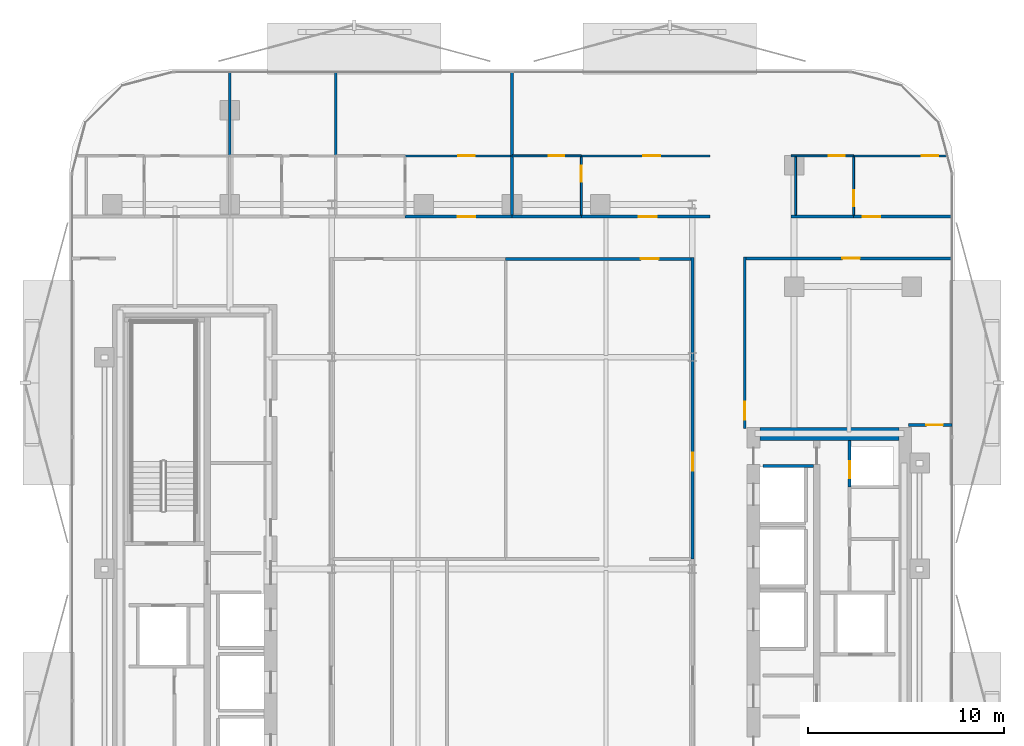
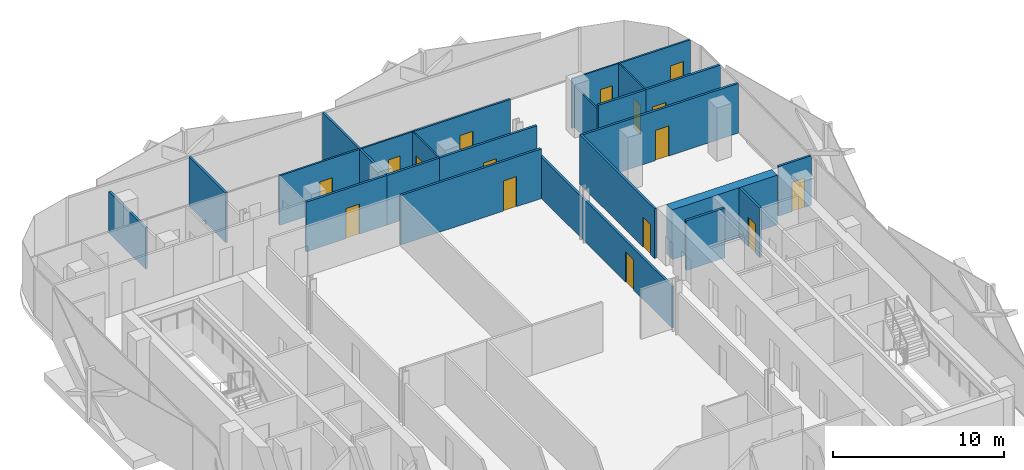
# One storey, part 7 of 17: 25 walls, 16 doors, 16 openings.
"""IFC4 building model written with IfcOpenShell, lengths in metres."""

from ifc_helpers import new_model, si_unit, direction, frame, frame_2d, origin, place, context, subcontext, project, spatial, rectangle, extrude, material, layer, layer_set, type_object, element, fill, save


model = new_model("IFC4")

# Units and contexts
model_context = context("Model", 3, precision=1e-05, world=origin(), true_north=direction((0.0, 1.0)))
body_context = subcontext(model_context, "Body", "Model", "MODEL_VIEW")
ifc_project = project(units=[si_unit("LENGTHUNIT", "METRE"), si_unit("AREAUNIT", "SQUARE_METRE"), si_unit("VOLUMEUNIT", "CUBIC_METRE"), si_unit("PLANEANGLEUNIT", "RADIAN"), si_unit("MASSUNIT", "GRAM", prefix="KILO")], contexts=[model_context])

# Site, building, storey
site_placement = place(None, origin())
site = spatial("IfcSite", under=ifc_project, at=site_placement, CompositionType="ELEMENT")
building_placement = place(site_placement, origin())
building = spatial("IfcBuilding", under=site, at=building_placement, Name="Khairoan Windgate Tower", CompositionType="ELEMENT")
storey_placement = place(building_placement, frame((0.0, 0.0, 176.39990234375)))
storey = spatial("IfcBuildingStorey", under=building, at=storey_placement, Name="L40", CompositionType="ELEMENT", Elevation=176.39990234375)

# Wall, opening, door
ifc_material_1 = material(Name="Moisture-Resistant Gypsum Partition", Category="gypsum")
ifc_layer_1 = layer(ifc_material_1, 0.10009765625, Name="Moisture-Resistant Gypsum Partition")
ifc_layer_set_1 = layer_set([ifc_layer_1], Name="Moisture-Resistant Gypsum Partition")
wall_type_1 = type_object("IfcWallType", Name="Bathroom Wet-Area Partition Wall", PredefinedType="PARTITIONING", material=ifc_layer_set_1)
wall_1_placement = place(storey_placement, frame((3.5400390625, 18.054931640625, 0.0), z_axis=(0.0, 0.0, 1.0), x_axis=(0.0, 1.0, 0.0)))
wall_1 = element("IfcWall", 1, at=wall_1_placement, inside=storey, type_object=wall_type_1, Name="L40 Interior Partition 069", PredefinedType="PARTITIONING", context=body_context, shape_type="SweptSolid", body=[
    extrude(rectangle(XDim=2.965087890625, YDim=0.10009765625, at=frame_2d((1.482421875, 0.0))), origin(), (0.0, 0.0, 1.0), 3.5400390625),
])
opening_1_placement = place(wall_1_placement, frame((1.705078125, 0.0, 0.0)))
opening_1 = element("IfcOpeningElement", 2, at=opening_1_placement, cuts=wall_1, Name="Opening ID-BTH", PredefinedType="OPENING", context=body_context, shape_type="SweptSolid", body=[
    extrude(rectangle(XDim=0.800048828125, YDim=2.10009765625, at=frame_2d((0.39990234375, 1.050048828125))), frame((0.0, 0.06005859375, 0.0), z_axis=(0.0, -1.0, 0.0), x_axis=(1.0, 0.0, 0.0)), (0.0, 0.0, 1.0), 0.1201171875),
])
ifc_material_2 = material(Name="Teak Veneer Timber Leaf", Category="wood")
door_type_1 = type_object("IfcDoorType", Name="Internal Bathroom Door ID-BTH 800x2100", OperationType="NOTDEFINED", PredefinedType="DOOR", material=ifc_material_2)
door_1_placement = place(opening_1_placement, origin())
door_1 = element("IfcDoor", 3, at=door_1_placement, inside=storey, type_object=door_type_1, Name="L40 L40-48-L40-49 Door", OperationType="SINGLE_SWING_RIGHT", OverallHeight=2.10009765625, OverallWidth=0.800048828125, PredefinedType="DOOR", context=body_context, shape_type="SweptSolid", body=[
    extrude(rectangle(XDim=0.800048828125, YDim=2.10009765625, at=frame_2d((0.39990234375, 1.050048828125))), frame((0.0, 0.02490234375, 0.0), z_axis=(0.0, -1.0, 0.0), x_axis=(1.0, 0.0, 0.0)), (0.0, 0.0, 1.0), 0.050048828125),
])
fill(opening_1, door_1)

wall_2_placement = place(storey_placement, frame((0.0, 21.070068359375, 0.0), z_axis=(0.0, 0.0, 1.0), x_axis=(1.0, 0.0, 0.0)))
wall_2 = element("IfcWall", 4, at=wall_2_placement, inside=storey, type_object=wall_type_1, Name="L40 Interior Partition 070", PredefinedType="PARTITIONING", context=body_context, shape_type="SweptSolid", body=[
    extrude(rectangle(XDim=3.5400390625, YDim=0.10009765625, at=frame_2d((1.77001953125, 0.0))), origin(), (0.0, 0.0, 1.0), 3.5400390625),
])
opening_2_placement = place(wall_2_placement, frame((1.87548828125, 0.0, 0.0)))
opening_2 = element("IfcOpeningElement", 5, at=opening_2_placement, cuts=wall_2, Name="Opening ID-BTH", PredefinedType="OPENING", context=body_context, shape_type="SweptSolid", body=[
    extrude(rectangle(XDim=0.800048828125, YDim=2.10009765625, at=frame_2d((0.39990234375, 1.050048828125))), frame((0.0, 0.06005859375, 0.0), z_axis=(0.0, -1.0, 0.0), x_axis=(1.0, 0.0, 0.0)), (0.0, 0.0, 1.0), 0.1201171875),
])
door_2_placement = place(opening_2_placement, origin())
door_2 = element("IfcDoor", 6, at=door_2_placement, inside=storey, type_object=door_type_1, Name="L40 L40-48-L40-50 Door", OperationType="SINGLE_SWING_LEFT", OverallHeight=2.10009765625, OverallWidth=0.800048828125, PredefinedType="DOOR", context=body_context, shape_type="SweptSolid", body=[
    extrude(rectangle(XDim=0.800048828125, YDim=2.10009765625, at=frame_2d((0.39990234375, 1.050048828125))), frame((0.0, 0.02490234375, 0.0), z_axis=(0.0, -1.0, 0.0), x_axis=(1.0, 0.0, 0.0)), (0.0, 0.0, 1.0), 0.050048828125),
])
fill(opening_2, door_2)

wall_3_placement = place(storey_placement, frame((17.43603515625, 18.054931640625, 0.0), z_axis=(0.0, 0.0, 1.0), x_axis=(0.0, 1.0, 0.0)))
wall_3 = element("IfcWall", 7, at=wall_3_placement, inside=storey, type_object=wall_type_1, Name="L40 Interior Partition 072", PredefinedType="PARTITIONING", context=body_context, shape_type="SweptSolid", body=[
    extrude(rectangle(XDim=2.965087890625, YDim=0.10009765625, at=frame_2d((1.482421875, 0.0))), origin(), (0.0, 0.0, 1.0), 3.5400390625),
])
opening_3_placement = place(wall_3_placement, frame((0.4599609375, 0.0, 0.0)))
opening_3 = element("IfcOpeningElement", 8, at=opening_3_placement, cuts=wall_3, Name="Opening ID-BTH", PredefinedType="OPENING", context=body_context, shape_type="SweptSolid", body=[
    extrude(rectangle(XDim=0.800048828125, YDim=2.10009765625, at=frame_2d((0.39990234375, 1.050048828125))), frame((0.0, 0.06005859375, 0.0), z_axis=(0.0, -1.0, 0.0), x_axis=(1.0, 0.0, 0.0)), (0.0, 0.0, 1.0), 0.1201171875),
])
door_3_placement = place(opening_3_placement, origin())
door_3 = element("IfcDoor", 9, at=door_3_placement, inside=storey, type_object=door_type_1, Name="L40 L40-51-L40-52 Door", OperationType="SINGLE_SWING_LEFT", OverallHeight=2.10009765625, OverallWidth=0.800048828125, PredefinedType="DOOR", context=body_context, shape_type="SweptSolid", body=[
    extrude(rectangle(XDim=0.800048828125, YDim=2.10009765625, at=frame_2d((0.39990234375, 1.050048828125))), frame((0.0, 0.02490234375, 0.0), z_axis=(0.0, -1.0, 0.0), x_axis=(1.0, 0.0, 0.0)), (0.0, 0.0, 1.0), 0.050048828125),
])
fill(opening_3, door_3)

wall_4_placement = place(storey_placement, frame((14.239990234375, 21.070068359375, 0.0), z_axis=(0.0, 0.0, 1.0), x_axis=(1.0, 0.0, 0.0)))
wall_4 = element("IfcWall", 10, at=wall_4_placement, inside=storey, type_object=wall_type_1, Name="L40 Interior Partition 073", PredefinedType="PARTITIONING", context=body_context, shape_type="SweptSolid", body=[
    extrude(rectangle(XDim=3.196044921875, YDim=0.10009765625, at=frame_2d((1.59814453125, 0.0))), origin(), (0.0, 0.0, 1.0), 3.5400390625),
])
opening_4_placement = place(wall_4_placement, frame((1.93603515625, 0.0, 0.0)))
opening_4 = element("IfcOpeningElement", 11, at=opening_4_placement, cuts=wall_4, Name="Opening ID-BTH", PredefinedType="OPENING", context=body_context, shape_type="SweptSolid", body=[
    extrude(rectangle(XDim=0.800048828125, YDim=2.10009765625, at=frame_2d((0.39990234375, 1.050048828125))), frame((0.0, 0.06005859375, 0.0), z_axis=(0.0, -1.0, 0.0), x_axis=(1.0, 0.0, 0.0)), (0.0, 0.0, 1.0), 0.1201171875),
])
door_4_placement = place(opening_4_placement, origin())
door_4 = element("IfcDoor", 12, at=door_4_placement, inside=storey, type_object=door_type_1, Name="L40 L40-51-L40-53 Door", OperationType="SINGLE_SWING_RIGHT", OverallHeight=2.10009765625, OverallWidth=0.800048828125, PredefinedType="DOOR", context=body_context, shape_type="SweptSolid", body=[
    extrude(rectangle(XDim=0.800048828125, YDim=2.10009765625, at=frame_2d((0.39990234375, 1.050048828125))), frame((0.0, 0.02490234375, 0.0), z_axis=(0.0, -1.0, 0.0), x_axis=(1.0, 0.0, 0.0)), (0.0, 0.0, 1.0), 0.050048828125),
])
fill(opening_4, door_4)

# Walls
wall_5_placement = place(storey_placement, frame((14.47998046875, 18.054931640625, 0.0), z_axis=(0.0, 0.0, 1.0), x_axis=(0.0, 1.0, 0.0)))
element("IfcWall", 13, at=wall_5_placement, inside=storey, type_object=wall_type_1, Name="L40 Wet Room Side Wall 097", PredefinedType="PARTITIONING", context=body_context, shape_type="SweptSolid", body=[
    extrude(rectangle(XDim=2.965087890625, YDim=0.10009765625, at=frame_2d((1.482421875, 0.0))), origin(), (0.0, 0.0, 1.0), 2.9521484375),
])
ifc_material_3 = material(Name="Concrete C40/50", Category="concrete")
ifc_layer_2 = layer(ifc_material_3, 0.159912109375, Name="Concrete C40/50")
ifc_layer_set_2 = layer_set([ifc_layer_2], Name="Concrete C40/50")
wall_type_2 = type_object("IfcWallType", Name="Core and Hoistway Enclosure Wall", PredefinedType="STANDARD", material=ifc_layer_set_2)
wall_6_placement = place(storey_placement, frame((12.800048828125, 5.25, 0.0), z_axis=(0.0, 0.0, 1.0), x_axis=(1.0, 0.0, 0.0)))
element("IfcWall", 14, at=wall_6_placement, inside=storey, type_object=wall_type_2, Name="L40 Core Shaft Wall SW-ESV-L40", PredefinedType="STANDARD", context=body_context, shape_type="SweptSolid", body=[
    extrude(rectangle(XDim=2.599853515625, YDim=0.159912109375, at=frame_2d((1.2998046875, 0.0))), origin(), (0.0, 0.0, 1.0), 3.5400390625),
])
ifc_material_4 = material(Name="Acoustic Fire-Rated Gypsum Partition", Category="gypsum")
ifc_layer_3 = layer(ifc_material_4, 0.139892578125, Name="Acoustic Fire-Rated Gypsum Partition")
ifc_layer_set_3 = layer_set([ifc_layer_3], Name="Acoustic Fire-Rated Gypsum Partition")
wall_type_3 = type_object("IfcWallType", Name="Inter-Tenancy Compartment Wall", PredefinedType="PARTITIONING", material=ifc_layer_set_3)
wall_7_placement = place(storey_placement, frame((-14.39990234375, 21.070068359375, 0.0), z_axis=(0.0, 0.0, 1.0), x_axis=(0.0, 1.0, 0.0)))
element("IfcWall", 15, at=wall_7_placement, inside=storey, type_object=wall_type_3, Name="L40 Interior Partition 058", PredefinedType="PARTITIONING", context=body_context, shape_type="SweptSolid", body=[
    extrude(rectangle(XDim=4.284912109375, YDim=0.139892578125, at=frame_2d((2.142578125, 0.0))), origin(), (0.0, 0.0, 1.0), 2.9521484375),
])
wall_8_placement = place(storey_placement, frame((-9.0, 21.070068359375, 0.0), z_axis=(0.0, 0.0, 1.0), x_axis=(0.0, 1.0, 0.0)))
element("IfcWall", 16, at=wall_8_placement, inside=storey, type_object=wall_type_3, Name="L40 Interior Partition 063", PredefinedType="PARTITIONING", context=body_context, shape_type="SweptSolid", body=[
    extrude(rectangle(XDim=4.284912109375, YDim=0.139892578125, at=frame_2d((2.142578125, 0.0))), origin(), (0.0, 0.0, 1.0), 3.5400390625),
])
wall_9_placement = place(storey_placement, frame((0.0, 18.054931640625, 0.0), z_axis=(0.0, 0.0, 1.0), x_axis=(0.0, 1.0, 0.0)))
element("IfcWall", 17, at=wall_9_placement, inside=storey, type_object=wall_type_3, Name="L40 Interior Partition 067", PredefinedType="PARTITIONING", context=body_context, shape_type="SweptSolid", body=[
    extrude(rectangle(XDim=3.01513671875, YDim=0.139892578125, at=frame_2d((1.507568359375, 0.0))), origin(), (0.0, 0.0, 1.0), 3.5400390625),
])
wall_10_placement = place(storey_placement, frame((0.0, 21.070068359375, 0.0), z_axis=(0.0, 0.0, 1.0), x_axis=(0.0, 1.0, 0.0)))
element("IfcWall", 18, at=wall_10_placement, inside=storey, type_object=wall_type_3, Name="L40 Interior Partition 068", PredefinedType="PARTITIONING", context=body_context, shape_type="SweptSolid", body=[
    extrude(rectangle(XDim=4.284912109375, YDim=0.139892578125, at=frame_2d((2.142578125, 0.0))), origin(), (0.0, 0.0, 1.0), 3.5400390625),
])

# Wall, opening, door
wall_11_placement = place(storey_placement, frame((20.239990234375, 7.340087890625, 0.0), z_axis=(0.0, 0.0, 1.0), x_axis=(1.0, 0.0, 0.0)))
wall_11 = element("IfcWall", 19, at=wall_11_placement, inside=storey, type_object=wall_type_3, Name="L40 Interior Partition 093", PredefinedType="PARTITIONING", context=body_context, shape_type="SweptSolid", body=[
    extrude(rectangle(XDim=2.215087890625, YDim=0.139892578125, at=frame_2d((1.107421875, 0.0))), origin(), (0.0, 0.0, 1.0), 3.5400390625),
])
opening_5_placement = place(wall_11_placement, frame((0.905029296875, 0.0, 0.0)))
opening_5 = element("IfcOpeningElement", 20, at=opening_5_placement, cuts=wall_11, Name="Opening FD-SRV", PredefinedType="OPENING", context=body_context, shape_type="SweptSolid", body=[
    extrude(rectangle(XDim=0.85009765625, YDim=2.10009765625, at=frame_2d((0.425048828125, 1.050048828125))), frame((0.0, 0.079833984375, 0.0), z_axis=(0.0, -1.0, 0.0), x_axis=(1.0, 0.0, 0.0)), (0.0, 0.0, 1.0), 0.159912109375),
])
ifc_material_5 = material(Name="Steel S355", Category="steel")
door_type_2 = type_object("IfcDoorType", Name="Core Service and Riser Fire Door FD-SRV 850x2100", OperationType="NOTDEFINED", PredefinedType="DOOR", material=ifc_material_5)
door_5_placement = place(opening_5_placement, origin())
door_5 = element("IfcDoor", 21, at=door_5_placement, inside=storey, type_object=door_type_2, Name="L40 L40-66-L40-68 Door", OperationType="SINGLE_SWING_RIGHT", OverallHeight=2.10009765625, OverallWidth=0.85009765625, PredefinedType="DOOR", context=body_context, shape_type="SweptSolid", body=[
    extrude(rectangle(XDim=0.85009765625, YDim=2.10009765625, at=frame_2d((0.425048828125, 1.050048828125))), frame((0.0, 0.02490234375, 0.0), z_axis=(0.0, -1.0, 0.0), x_axis=(1.0, 0.0, 0.0)), (0.0, 0.0, 1.0), 0.050048828125),
])
fill(opening_5, door_5)

ifc_material_6 = material(Name="Gypsum Stud Partition", Category="gypsum")
ifc_layer_4 = layer(ifc_material_6, 0.1201171875, Name="Gypsum Stud Partition")
ifc_layer_set_4 = layer_set([ifc_layer_4], Name="Gypsum Stud Partition")
wall_type_4 = type_object("IfcWallType", Name="Internal Room Partition Wall", PredefinedType="PARTITIONING", material=ifc_layer_set_4)
wall_12_placement = place(storey_placement, frame((-5.4599609375, 21.070068359375, 0.0), z_axis=(0.0, 0.0, 1.0), x_axis=(1.0, 0.0, 0.0)))
wall_12 = element("IfcWall", 22, at=wall_12_placement, inside=storey, type_object=wall_type_4, Name="L40 Interior Partition 066", PredefinedType="PARTITIONING", context=body_context, shape_type="SweptSolid", body=[
    extrude(rectangle(XDim=5.4599609375, YDim=0.1201171875, at=frame_2d((2.72998046875, 0.0))), origin(), (0.0, 0.0, 1.0), 3.5400390625),
])
opening_6_placement = place(wall_12_placement, frame((2.708984375, 0.0, 0.0)))
opening_6 = element("IfcOpeningElement", 23, at=opening_6_placement, cuts=wall_12, Name="Opening ID-RM", PredefinedType="OPENING", context=body_context, shape_type="SweptSolid", body=[
    extrude(rectangle(XDim=0.860107421875, YDim=2.14990234375, at=frame_2d((0.43017578125, 1.074951171875))), frame((0.0, 0.070068359375, 0.0), z_axis=(0.0, -1.0, 0.0), x_axis=(1.0, 0.0, 0.0)), (0.0, 0.0, 1.0), 0.14013671875),
])
ifc_material_7 = material(Name="Teak Veneer Timber Leaf", Category="wood")
door_type_3 = type_object("IfcDoorType", Name="Internal Bedroom and Office Door ID-RM 860x2150", OperationType="NOTDEFINED", PredefinedType="DOOR", material=ifc_material_7)
door_6_placement = place(opening_6_placement, origin())
door_6 = element("IfcDoor", 24, at=door_6_placement, inside=storey, type_object=door_type_3, Name="L40 L40-46-L40-47 Door", OperationType="SINGLE_SWING_LEFT", OverallHeight=2.14990234375, OverallWidth=0.860107421875, PredefinedType="DOOR", context=body_context, shape_type="SweptSolid", body=[
    extrude(rectangle(XDim=0.860107421875, YDim=2.14990234375, at=frame_2d((0.43017578125, 1.074951171875))), frame((0.0, 0.02490234375, 0.0), z_axis=(0.0, -1.0, 0.0), x_axis=(1.0, 0.0, 0.0)), (0.0, 0.0, 1.0), 0.050048828125),
])
fill(opening_6, door_6)

wall_13_placement = place(storey_placement, frame((3.5400390625, 21.070068359375, 0.0), z_axis=(0.0, 0.0, 1.0), x_axis=(1.0, 0.0, 0.0)))
wall_13 = element("IfcWall", 25, at=wall_13_placement, inside=storey, type_object=wall_type_4, Name="L40 Interior Partition 071", PredefinedType="PARTITIONING", context=body_context, shape_type="SweptSolid", body=[
    extrude(rectangle(XDim=6.570068359375, YDim=0.1201171875, at=frame_2d((3.28515625, 0.0))), origin(), (0.0, 0.0, 1.0), 3.5400390625),
])
opening_7_placement = place(wall_13_placement, frame((3.16748046875, 0.0, 0.0)))
opening_7 = element("IfcOpeningElement", 26, at=opening_7_placement, cuts=wall_13, Name="Opening ID-RM", PredefinedType="OPENING", context=body_context, shape_type="SweptSolid", body=[
    extrude(rectangle(XDim=0.860107421875, YDim=2.14990234375, at=frame_2d((0.43017578125, 1.074951171875))), frame((0.0, 0.070068359375, 0.0), z_axis=(0.0, -1.0, 0.0), x_axis=(1.0, 0.0, 0.0)), (0.0, 0.0, 1.0), 0.14013671875),
])
door_7_placement = place(opening_7_placement, origin())
door_7 = element("IfcDoor", 27, at=door_7_placement, inside=storey, type_object=door_type_3, Name="L40 L40-49-L40-50 Door", OperationType="SINGLE_SWING_RIGHT", OverallHeight=2.14990234375, OverallWidth=0.860107421875, PredefinedType="DOOR", context=body_context, shape_type="SweptSolid", body=[
    extrude(rectangle(XDim=0.860107421875, YDim=2.14990234375, at=frame_2d((0.43017578125, 1.074951171875))), frame((0.0, 0.02490234375, 0.0), z_axis=(0.0, -1.0, 0.0), x_axis=(1.0, 0.0, 0.0)), (0.0, 0.0, 1.0), 0.050048828125),
])
fill(opening_7, door_7)

wall_14_placement = place(storey_placement, frame((17.43603515625, 21.070068359375, 0.0), z_axis=(0.0, 0.0, 1.0), x_axis=(1.0, 0.0, 0.0)))
wall_14 = element("IfcWall", 28, at=wall_14_placement, inside=storey, type_object=wall_type_4, Name="L40 Interior Partition 074", PredefinedType="PARTITIONING", context=body_context, shape_type="SweptSolid", body=[
    extrude(rectangle(XDim=4.78369140625, YDim=0.1201171875, at=frame_2d((2.391845703125, 0.0))), origin(), (0.0, 0.0, 1.0), 3.5400390625),
])
opening_8_placement = place(wall_14_placement, frame((3.4638671875, 0.0, 0.0)))
opening_8 = element("IfcOpeningElement", 29, at=opening_8_placement, cuts=wall_14, Name="Opening ID-RM", PredefinedType="OPENING", context=body_context, shape_type="SweptSolid", body=[
    extrude(rectangle(XDim=0.860107421875, YDim=2.14990234375, at=frame_2d((0.43017578125, 1.074951171875))), frame((0.0, 0.070068359375, 0.0), z_axis=(0.0, -1.0, 0.0), x_axis=(1.0, 0.0, 0.0)), (0.0, 0.0, 1.0), 0.14013671875),
])
door_8_placement = place(opening_8_placement, origin())
door_8 = element("IfcDoor", 30, at=door_8_placement, inside=storey, type_object=door_type_3, Name="L40 L40-52-L40-53 Door", OperationType="SINGLE_SWING_LEFT", OverallHeight=2.14990234375, OverallWidth=0.860107421875, PredefinedType="DOOR", context=body_context, shape_type="SweptSolid", body=[
    extrude(rectangle(XDim=0.860107421875, YDim=2.14990234375, at=frame_2d((0.43017578125, 1.074951171875))), frame((0.0, 0.02490234375, 0.0), z_axis=(0.0, -1.0, 0.0), x_axis=(1.0, 0.0, 0.0)), (0.0, 0.0, 1.0), 0.050048828125),
])
fill(opening_8, door_8)

ifc_material_8 = material(Name="Concrete C40/50", Category="concrete")
ifc_layer_5 = layer(ifc_material_8, 0.159912109375, Name="Concrete C40/50")
ifc_layer_set_5 = layer_set([ifc_layer_5], Name="Concrete C40/50")
wall_type_5 = type_object("IfcWallType", Name="Plant and Refuge Compartment Wall", PredefinedType="PARTITIONING", material=ifc_layer_set_5)
wall_15_placement = place(storey_placement, frame((17.22998046875, 4.169921875, 0.0), z_axis=(0.0, 0.0, 1.0), x_axis=(0.0, 1.0, 0.0)))
wall_15 = element("IfcWall", 31, at=wall_15_placement, inside=storey, type_object=wall_type_5, Name="L40 Interior Partition 005", PredefinedType="PARTITIONING", context=body_context, shape_type="SweptSolid", body=[
    extrude(rectangle(XDim=2.380126953125, YDim=0.159912109375, at=frame_2d((1.18994140625, 0.0))), origin(), (0.0, 0.0, 1.0), 3.5400390625),
])
opening_9_placement = place(wall_15_placement, frame((0.4599609375, 0.0, 0.0)))
opening_9 = element("IfcOpeningElement", 32, at=opening_9_placement, cuts=wall_15, Name="Opening FD-SRV", PredefinedType="OPENING", context=body_context, shape_type="SweptSolid", body=[
    extrude(rectangle(XDim=0.85009765625, YDim=2.10009765625, at=frame_2d((0.425048828125, 1.050048828125))), frame((0.0, 0.08984375, 0.0), z_axis=(0.0, -1.0, 0.0), x_axis=(1.0, 0.0, 0.0)), (0.0, 0.0, 1.0), 0.179931640625),
])
door_9_placement = place(opening_9_placement, origin())
door_9 = element("IfcDoor", 33, at=door_9_placement, inside=storey, type_object=door_type_2, Name="L40 L40-17-L40-18 Door", OperationType="SINGLE_SWING_RIGHT", OverallHeight=2.10009765625, OverallWidth=0.85009765625, PredefinedType="DOOR", context=body_context, shape_type="SweptSolid", body=[
    extrude(rectangle(XDim=0.85009765625, YDim=2.10009765625, at=frame_2d((0.425048828125, 1.050048828125))), frame((0.0, 0.02490234375, 0.0), z_axis=(0.0, -1.0, 0.0), x_axis=(1.0, 0.0, 0.0)), (0.0, 0.0, 1.0), 0.050048828125),
])
fill(opening_9, door_9)

ifc_material_9 = material(Name="Acoustic Fire-Rated Gypsum Partition", Category="gypsum")
ifc_layer_6 = layer(ifc_material_9, 0.14990234375, Name="Acoustic Fire-Rated Gypsum Partition")
ifc_layer_set_6 = layer_set([ifc_layer_6], Name="Acoustic Fire-Rated Gypsum Partition")
wall_type_6 = type_object("IfcWallType", Name="Rated Corridor Partition Wall", PredefinedType="PARTITIONING", material=ifc_layer_set_6)
wall_16_placement = place(storey_placement, frame((9.219970703125, 0.5, 0.0), z_axis=(0.0, 0.0, 1.0), x_axis=(0.0, 1.0, 0.0)))
wall_16 = element("IfcWall", 34, at=wall_16_placement, inside=storey, type_object=wall_type_6, Name="L40 Interior Partition 014", PredefinedType="PARTITIONING", context=body_context, shape_type="SweptSolid", body=[
    extrude(rectangle(XDim=15.39501953125, YDim=0.14990234375, at=frame_2d((7.697509765625, 0.0))), origin(), (0.0, 0.0, 1.0), 2.9521484375),
])
opening_10_placement = place(wall_16_placement, frame((4.51220703125, 0.0, 0.0)))
opening_10 = element("IfcOpeningElement", 35, at=opening_10_placement, cuts=wall_16, Name="Opening FD-ENT", PredefinedType="OPENING", context=body_context, shape_type="SweptSolid", body=[
    extrude(rectangle(XDim=0.89990234375, YDim=2.14990234375, at=frame_2d((0.449951171875, 1.074951171875))), frame((0.0, 0.0849609375, 0.0), z_axis=(0.0, -1.0, 0.0), x_axis=(1.0, 0.0, 0.0)), (0.0, 0.0, 1.0), 0.169921875),
])
ifc_material_10 = material(Name="Timber Fire-Rated Core", Category="wood")
door_type_4 = type_object("IfcDoorType", Name="Unit and Office Fire Entrance Door FD-ENT 900x2150", OperationType="NOTDEFINED", PredefinedType="DOOR", material=ifc_material_10)
door_10_placement = place(opening_10_placement, origin())
door_10 = element("IfcDoor", 36, at=door_10_placement, inside=storey, type_object=door_type_4, Name="L40 L40-29-L40-38 Door", OperationType="SINGLE_SWING_RIGHT", OverallHeight=2.14990234375, OverallWidth=0.89990234375, PredefinedType="DOOR", context=body_context, shape_type="SweptSolid", body=[
    extrude(rectangle(XDim=0.89990234375, YDim=2.14990234375, at=frame_2d((0.449951171875, 1.074951171875))), frame((0.0, 0.02490234375, 0.0), z_axis=(0.0, -1.0, 0.0), x_axis=(1.0, 0.0, 0.0)), (0.0, 0.0, 1.0), 0.050048828125),
])
fill(opening_10, door_10)

wall_17_placement = place(storey_placement, frame((11.8798828125, 7.159912109375, 0.0), z_axis=(0.0, 0.0, 1.0), x_axis=(0.0, 1.0, 0.0)))
wall_17 = element("IfcWall", 37, at=wall_17_placement, inside=storey, type_object=wall_type_6, Name="L40 Interior Partition 015", PredefinedType="PARTITIONING", context=body_context, shape_type="SweptSolid", body=[
    extrude(rectangle(XDim=8.755126953125, YDim=0.14990234375, at=frame_2d((4.37744140625, 0.0))), origin(), (0.0, 0.0, 1.0), 3.5400390625),
])
opening_11_placement = place(wall_17_placement, frame((0.4599609375, 0.0, 0.0)))
opening_11 = element("IfcOpeningElement", 38, at=opening_11_placement, cuts=wall_17, Name="Opening FD-ENT", PredefinedType="OPENING", context=body_context, shape_type="SweptSolid", body=[
    extrude(rectangle(XDim=0.89990234375, YDim=2.14990234375, at=frame_2d((0.449951171875, 1.074951171875))), frame((0.0, 0.0849609375, 0.0), z_axis=(0.0, -1.0, 0.0), x_axis=(1.0, 0.0, 0.0)), (0.0, 0.0, 1.0), 0.169921875),
])
door_11_placement = place(opening_11_placement, origin())
door_11 = element("IfcDoor", 39, at=door_11_placement, inside=storey, type_object=door_type_4, Name="L40 L40-29-L40-66 Door", OperationType="SINGLE_SWING_LEFT", OverallHeight=2.14990234375, OverallWidth=0.89990234375, PredefinedType="DOOR", context=body_context, shape_type="SweptSolid", body=[
    extrude(rectangle(XDim=0.89990234375, YDim=2.14990234375, at=frame_2d((0.449951171875, 1.074951171875))), frame((0.0, 0.02490234375, 0.0), z_axis=(0.0, -1.0, 0.0), x_axis=(1.0, 0.0, 0.0)), (0.0, 0.0, 1.0), 0.050048828125),
])
fill(opening_11, door_11)

wall_18_placement = place(storey_placement, frame((-0.320068359375, 15.820068359375, 0.0), z_axis=(0.0, 0.0, 1.0), x_axis=(1.0, 0.0, 0.0)))
wall_18 = element("IfcWall", 40, at=wall_18_placement, inside=storey, type_object=wall_type_6, Name="L40 Interior Partition 017", PredefinedType="PARTITIONING", context=body_context, shape_type="SweptSolid", body=[
    extrude(rectangle(XDim=9.465087890625, YDim=0.14990234375, at=frame_2d((4.732421875, 0.0))), origin(), (0.0, 0.0, 1.0), 3.5400390625),
])
opening_12_placement = place(wall_18_placement, frame((6.89794921875, 0.0, 0.0)))
opening_12 = element("IfcOpeningElement", 41, at=opening_12_placement, cuts=wall_18, Name="Opening FD-ENT", PredefinedType="OPENING", context=body_context, shape_type="SweptSolid", body=[
    extrude(rectangle(XDim=0.89990234375, YDim=2.14990234375, at=frame_2d((0.449951171875, 1.074951171875))), frame((0.0, 0.0849609375, 0.0), z_axis=(0.0, -1.0, 0.0), x_axis=(1.0, 0.0, 0.0)), (0.0, 0.0, 1.0), 0.169921875),
])
door_12_placement = place(opening_12_placement, origin())
door_12 = element("IfcDoor", 42, at=door_12_placement, inside=storey, type_object=door_type_4, Name="L40 L40-30-L40-38 Door", OperationType="SINGLE_SWING_LEFT", OverallHeight=2.14990234375, OverallWidth=0.89990234375, PredefinedType="DOOR", context=body_context, shape_type="SweptSolid", body=[
    extrude(rectangle(XDim=0.89990234375, YDim=2.14990234375, at=frame_2d((0.449951171875, 1.074951171875))), frame((0.0, 0.02490234375, 0.0), z_axis=(0.0, -1.0, 0.0), x_axis=(1.0, 0.0, 0.0)), (0.0, 0.0, 1.0), 0.050048828125),
])
fill(opening_12, door_12)

wall_19_placement = place(storey_placement, frame((-5.4599609375, 17.97998046875, 0.0), z_axis=(0.0, 0.0, 1.0), x_axis=(1.0, 0.0, 0.0)))
wall_19 = element("IfcWall", 43, at=wall_19_placement, inside=storey, type_object=wall_type_6, Name="L40 Interior Partition 023", PredefinedType="PARTITIONING", context=body_context, shape_type="SweptSolid", body=[
    extrude(rectangle(XDim=5.4599609375, YDim=0.14990234375, at=frame_2d((2.72998046875, 0.0))), origin(), (0.0, 0.0, 1.0), 3.5400390625),
])
opening_13_placement = place(wall_19_placement, frame((2.684326171875, 0.0, 0.0)))
opening_13 = element("IfcOpeningElement", 44, at=opening_13_placement, cuts=wall_19, Name="Opening FD-ENT", PredefinedType="OPENING", context=body_context, shape_type="SweptSolid", body=[
    extrude(rectangle(XDim=0.89990234375, YDim=2.14990234375, at=frame_2d((0.449951171875, 1.074951171875))), frame((0.0, 0.0849609375, 0.0), z_axis=(0.0, -1.0, 0.0), x_axis=(1.0, 0.0, 0.0)), (0.0, 0.0, 1.0), 0.169921875),
])
door_13_placement = place(opening_13_placement, origin())
door_13 = element("IfcDoor", 45, at=door_13_placement, inside=storey, type_object=door_type_4, Name="L40 L40-30-L40-46 Door", OperationType="SINGLE_SWING_RIGHT", OverallHeight=2.14990234375, OverallWidth=0.89990234375, PredefinedType="DOOR", context=body_context, shape_type="SweptSolid", body=[
    extrude(rectangle(XDim=0.89990234375, YDim=2.14990234375, at=frame_2d((0.449951171875, 1.074951171875))), frame((0.0, 0.02490234375, 0.0), z_axis=(0.0, -1.0, 0.0), x_axis=(1.0, 0.0, 0.0)), (0.0, 0.0, 1.0), 0.050048828125),
])
fill(opening_13, door_13)

# Wall
wall_20_placement = place(storey_placement, frame((0.0, 17.97998046875, 0.0), z_axis=(0.0, 0.0, 1.0), x_axis=(1.0, 0.0, 0.0)))
element("IfcWall", 46, at=wall_20_placement, inside=storey, type_object=wall_type_6, Name="L40 Interior Partition 024", PredefinedType="PARTITIONING", context=body_context, shape_type="SweptSolid", body=[
    extrude(rectangle(XDim=3.5400390625, YDim=0.14990234375, at=frame_2d((1.77001953125, 0.0))), origin(), (0.0, 0.0, 1.0), 3.5400390625),
])

# Wall, opening, door
wall_21_placement = place(storey_placement, frame((3.5400390625, 17.97998046875, 0.0), z_axis=(0.0, 0.0, 1.0), x_axis=(1.0, 0.0, 0.0)))
wall_21 = element("IfcWall", 47, at=wall_21_placement, inside=storey, type_object=wall_type_6, Name="L40 Interior Partition 025", PredefinedType="PARTITIONING", context=body_context, shape_type="SweptSolid", body=[
    extrude(rectangle(XDim=6.570068359375, YDim=0.14990234375, at=frame_2d((3.28515625, 0.0))), origin(), (0.0, 0.0, 1.0), 3.5400390625),
])
opening_14_placement = place(wall_21_placement, frame((2.938232421875, 0.0, 0.0)))
opening_14 = element("IfcOpeningElement", 48, at=opening_14_placement, cuts=wall_21, Name="Opening FD-ENT", PredefinedType="OPENING", context=body_context, shape_type="SweptSolid", body=[
    extrude(rectangle(XDim=0.89990234375, YDim=2.14990234375, at=frame_2d((0.449951171875, 1.074951171875))), frame((0.0, 0.0849609375, 0.0), z_axis=(0.0, -1.0, 0.0), x_axis=(1.0, 0.0, 0.0)), (0.0, 0.0, 1.0), 0.169921875),
])
door_14_placement = place(opening_14_placement, origin())
door_14 = element("IfcDoor", 49, at=door_14_placement, inside=storey, type_object=door_type_4, Name="L40 L40-30-L40-49 Door", OperationType="SINGLE_SWING_LEFT", OverallHeight=2.14990234375, OverallWidth=0.89990234375, PredefinedType="DOOR", context=body_context, shape_type="SweptSolid", body=[
    extrude(rectangle(XDim=0.89990234375, YDim=2.14990234375, at=frame_2d((0.449951171875, 1.074951171875))), frame((0.0, 0.02490234375, 0.0), z_axis=(0.0, -1.0, 0.0), x_axis=(1.0, 0.0, 0.0)), (0.0, 0.0, 1.0), 0.050048828125),
])
fill(opening_14, door_14)

# Wall
wall_22_placement = place(storey_placement, frame((14.239990234375, 17.97998046875, 0.0), z_axis=(0.0, 0.0, 1.0), x_axis=(1.0, 0.0, 0.0)))
element("IfcWall", 50, at=wall_22_placement, inside=storey, type_object=wall_type_6, Name="L40 Interior Partition 026", PredefinedType="PARTITIONING", context=body_context, shape_type="SweptSolid", body=[
    extrude(rectangle(XDim=3.196044921875, YDim=0.14990234375, at=frame_2d((1.59814453125, 0.0))), origin(), (0.0, 0.0, 1.0), 3.5400390625),
])

# Wall, opening, door
wall_23_placement = place(storey_placement, frame((17.43603515625, 17.97998046875, 0.0), z_axis=(0.0, 0.0, 1.0), x_axis=(1.0, 0.0, 0.0)))
wall_23 = element("IfcWall", 51, at=wall_23_placement, inside=storey, type_object=wall_type_6, Name="L40 Interior Partition 027", PredefinedType="PARTITIONING", context=body_context, shape_type="SweptSolid", body=[
    extrude(rectangle(XDim=5.01904296875, YDim=0.14990234375, at=frame_2d((2.509521484375, 0.0))), origin(), (0.0, 0.0, 1.0), 3.5400390625),
])
opening_15_placement = place(wall_23_placement, frame((0.4599609375, 0.0, 0.0)))
opening_15 = element("IfcOpeningElement", 52, at=opening_15_placement, cuts=wall_23, Name="Opening FD-ENT", PredefinedType="OPENING", context=body_context, shape_type="SweptSolid", body=[
    extrude(rectangle(XDim=0.89990234375, YDim=2.14990234375, at=frame_2d((0.449951171875, 1.074951171875))), frame((0.0, 0.0849609375, 0.0), z_axis=(0.0, -1.0, 0.0), x_axis=(1.0, 0.0, 0.0)), (0.0, 0.0, 1.0), 0.169921875),
])
door_15_placement = place(opening_15_placement, origin())
door_15 = element("IfcDoor", 53, at=door_15_placement, inside=storey, type_object=door_type_4, Name="L40 L40-30-L40-52 Door", OperationType="SINGLE_SWING_RIGHT", OverallHeight=2.14990234375, OverallWidth=0.89990234375, PredefinedType="DOOR", context=body_context, shape_type="SweptSolid", body=[
    extrude(rectangle(XDim=0.89990234375, YDim=2.14990234375, at=frame_2d((0.449951171875, 1.074951171875))), frame((0.0, 0.02490234375, 0.0), z_axis=(0.0, -1.0, 0.0), x_axis=(1.0, 0.0, 0.0)), (0.0, 0.0, 1.0), 0.050048828125),
])
fill(opening_15, door_15)

wall_24_placement = place(storey_placement, frame((11.955078125, 15.840087890625, 0.0), z_axis=(0.0, 0.0, 1.0), x_axis=(1.0, 0.0, 0.0)))
wall_24 = element("IfcWall", 54, at=wall_24_placement, inside=storey, type_object=wall_type_6, Name="L40 Interior Partition 028", PredefinedType="PARTITIONING", context=body_context, shape_type="SweptSolid", body=[
    extrude(rectangle(XDim=10.5, YDim=0.14990234375, at=frame_2d((5.25, 0.0))), origin(), (0.0, 0.0, 1.0), 3.5400390625),
])
opening_16_placement = place(wall_24_placement, frame((4.90087890625, 0.0, 0.0)))
opening_16 = element("IfcOpeningElement", 55, at=opening_16_placement, cuts=wall_24, Name="Opening FD-ENT", PredefinedType="OPENING", context=body_context, shape_type="SweptSolid", body=[
    extrude(rectangle(XDim=0.89990234375, YDim=2.14990234375, at=frame_2d((0.449951171875, 1.074951171875))), frame((0.0, 0.0849609375, 0.0), z_axis=(0.0, -1.0, 0.0), x_axis=(1.0, 0.0, 0.0)), (0.0, 0.0, 1.0), 0.169921875),
])
door_16_placement = place(opening_16_placement, origin())
door_16 = element("IfcDoor", 56, at=door_16_placement, inside=storey, type_object=door_type_4, Name="L40 L40-30-L40-66 Door", OperationType="SINGLE_SWING_LEFT", OverallHeight=2.14990234375, OverallWidth=0.89990234375, PredefinedType="DOOR", context=body_context, shape_type="SweptSolid", body=[
    extrude(rectangle(XDim=0.89990234375, YDim=2.14990234375, at=frame_2d((0.449951171875, 1.074951171875))), frame((0.0, 0.02490234375, 0.0), z_axis=(0.0, -1.0, 0.0), x_axis=(1.0, 0.0, 0.0)), (0.0, 0.0, 1.0), 0.050048828125),
])
fill(opening_16, door_16)

# Wall
ifc_material_11 = material(Name="Concrete C60/75", Category="concrete")
ifc_layer_7 = layer(ifc_material_11, 0.64990234375, Name="Concrete C60/75")
ifc_layer_set_7 = layer_set([ifc_layer_7], Name="Concrete C60/75")
wall_type_7 = type_object("IfcWallType", Name="Shear Wall CW-E2 650mm", PredefinedType="SHEAR", material=ifc_layer_set_7)
wall_25_placement = place(storey_placement, frame((12.64990234375, 6.875, 0.0), z_axis=(0.0, 0.0, 1.0), x_axis=(1.0, 0.0, 0.0)))
element("IfcWall", 57, at=wall_25_placement, inside=storey, type_object=wall_type_7, Name="E Core North Shear Wall L40", PredefinedType="SHEAR", context=body_context, shape_type="SweptSolid", body=[
    extrude(rectangle(XDim=7.10009765625, YDim=0.64990234375, at=frame_2d((3.550048828125, 0.0))), origin(), (0.0, 0.0, 1.0), 3.5400390625),
])

save(model, "model.ifc")
